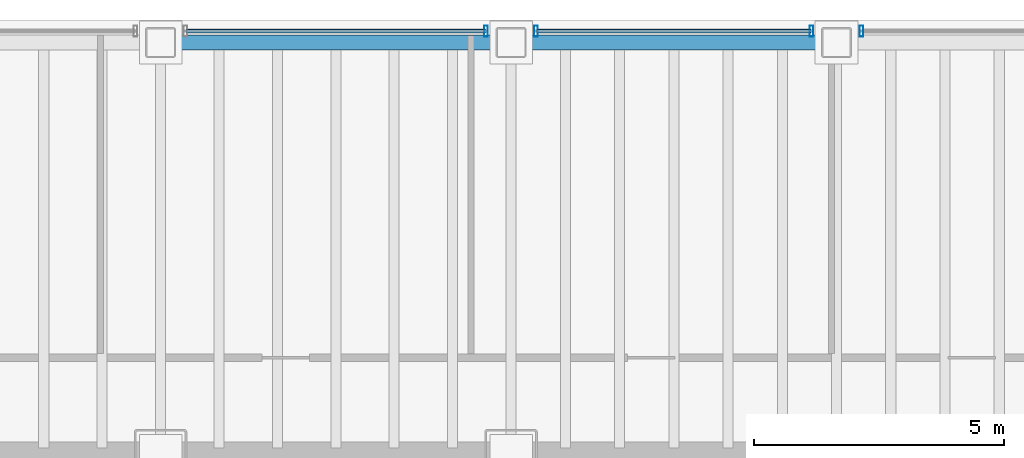
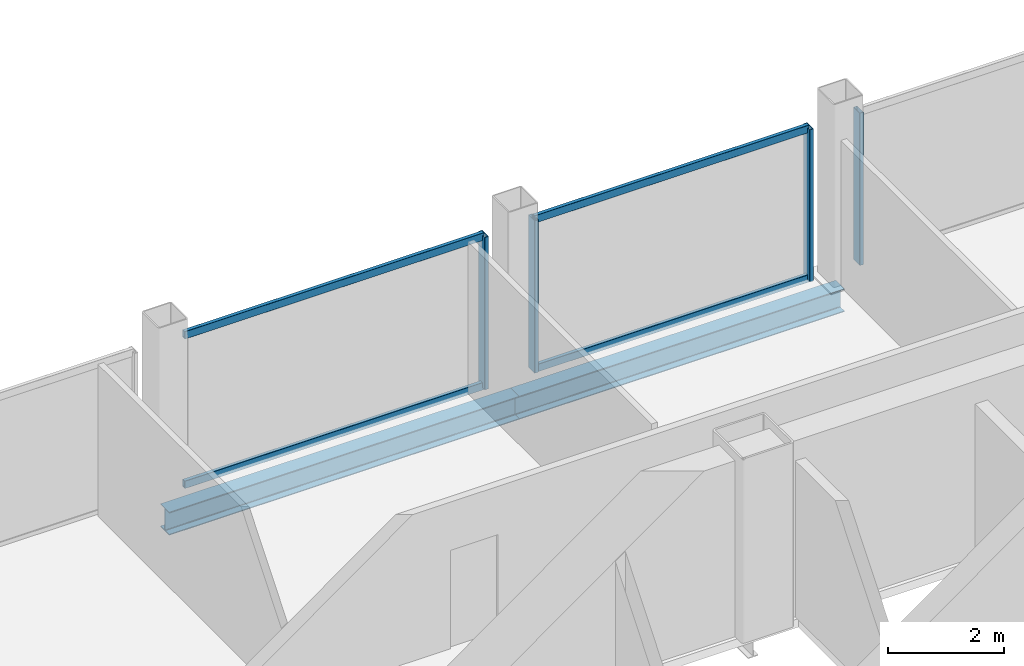
# One storey, part 14 of 20: 8 members, 2 beams, 3 elements without a shape of their own.
"""IFC4 building model written with IfcOpenShell, lengths in metres."""

from ifc_helpers import new_model, si_unit, direction, frame, origin, origin_2d, place, context, subcontext, project, spatial, hollow_rectangle, i_section, extrude, material, material_profile, profile_set, type_object, element, aggregate, save


model = new_model("IFC4")

# Units and contexts
model_context = context("Model", 3, precision=1e-05, world=origin(), true_north=direction((0.0, 1.0)))
body_context = subcontext(model_context, "Body", "Model", "MODEL_VIEW")
ifc_project = project(units=[si_unit("LENGTHUNIT", "METRE"), si_unit("AREAUNIT", "SQUARE_METRE"), si_unit("VOLUMEUNIT", "CUBIC_METRE"), si_unit("PLANEANGLEUNIT", "RADIAN"), si_unit("MASSUNIT", "GRAM", prefix="KILO")], contexts=[model_context])

# Site, building, storey
site_placement = place(None, origin())
site = spatial("IfcSite", under=ifc_project, at=site_placement, CompositionType="ELEMENT")
building_placement = place(site_placement, origin())
building = spatial("IfcBuilding", under=site, at=building_placement, Name="Noeulbin Bourse Tower", CompositionType="ELEMENT")
storey_placement = place(building_placement, frame((0.0, 0.0, 69.39990234375)))
storey = spatial("IfcBuildingStorey", under=building, at=storey_placement, Name="L17", CompositionType="ELEMENT", Elevation=69.39990234375)

# Beams
ifc_material_1 = material(Name="Steel S355", Category="steel")
ifc_material_profile_1 = material_profile(ifc_material_1, i_section(OverallWidth=0.300048828125, OverallDepth=0.488037109375, WebThickness=0.010986328125, FlangeThickness=0.01806640625, FilletRadius=0.02197265625, at=origin_2d()), Name="H-488x300x11x18", Category="LoadBearing")
ifc_profile_set_1 = profile_set([ifc_material_profile_1], Name="Steel S355")
beam_type = type_object("IfcBeamType", Name="BM-SPN-488", PredefinedType="SPANDREL", material=ifc_profile_set_1)
beam_1_placement = place(storey_placement, frame((24.0, 46.550048828125, -0.423828125), z_axis=(1.0, 0.0, 0.0), x_axis=(0.0, 1.0, 0.0)))
element("IfcBeam", 1, at=beam_1_placement, inside=storey, type_object=beam_type, Name="North Spandrel L17-2", PredefinedType="SPANDREL", context=body_context, shape_type="SweptSolid", body=[
    extrude(i_section(OverallWidth=0.300048828125, OverallDepth=0.488037109375, WebThickness=0.010986328125, FlangeThickness=0.01806640625, FilletRadius=0.02197265625, at=origin_2d()), origin(), (0.0, 0.0, 1.0), 7.0),
])
beam_2_placement = place(storey_placement, frame((31.0, 46.550048828125, -0.423828125), z_axis=(1.0, 0.0, 0.0), x_axis=(0.0, 1.0, 0.0)))
element("IfcBeam", 2, at=beam_2_placement, inside=storey, type_object=beam_type, Name="North Spandrel L17-3", PredefinedType="SPANDREL", context=body_context, shape_type="SweptSolid", body=[
    extrude(i_section(OverallWidth=0.300048828125, OverallDepth=0.488037109375, WebThickness=0.010986328125, FlangeThickness=0.01806640625, FilletRadius=0.02197265625, at=origin_2d()), origin(), (0.0, 0.0, 1.0), 6.5),
])

# Curtain wall, member
ifc_material_2 = material(Name="Dark Solar-Control Double Glazing", Category="glass")
curtain_wall_type = type_object("IfcCurtainWallType", Name="CW-SYS-2", PredefinedType="NOTDEFINED", material=ifc_material_2)
curtain_wall_1_placement = place(storey_placement, origin())
curtain_wall_1 = element("IfcCurtainWall", 3, at=curtain_wall_1_placement, inside=storey, type_object=curtain_wall_type, Name="Unitised Curtain Wall CW-L17-N-S3", PredefinedType="NOTDEFINED")
ifc_material_3 = material(Name="Anodised Aluminium 6063-T6", Category="aluminium")
ifc_material_profile_2 = material_profile(ifc_material_3, hollow_rectangle(XDim=0.074951171875, YDim=0.219970703125, WallThickness=0.0048828125, InnerFilletRadius=0.00244140625, OuterFilletRadius=0.0048828125, at=origin_2d()), Name="ALU-MULL-75x220x5", Category="LoadBearing")
ifc_profile_set_2 = profile_set([ifc_material_profile_2], Name="Anodised Aluminium 6063-T6")
member_type_1 = type_object("IfcMemberType", Name="CW-SYS-2-MUL", PredefinedType="MULLION", material=ifc_profile_set_2)
member_1_placement = place(storey_placement, frame((30.5, 46.780029296875, -0.02001953125), z_axis=(0.0, 0.0, 1.0), x_axis=(1.0, 0.0, 0.0)))
member_1 = element("IfcMember", 4, at=member_1_placement, type_object=member_type_1, Name="Curtain Wall Mullion CW-L17-N-S3-M01", PredefinedType="MULLION", context=body_context, shape_type="SweptSolid", body=[
    extrude(hollow_rectangle(XDim=0.074951171875, YDim=0.219970703125, WallThickness=0.0048828125, InnerFilletRadius=0.00244140625, OuterFilletRadius=0.0048828125, at=origin_2d()), origin(), (0.0, 0.0, 1.0), 3.22021484375),
])

# Curtain wall, members
curtain_wall_2_placement = place(storey_placement, origin())
curtain_wall_2 = element("IfcCurtainWall", 5, at=curtain_wall_2_placement, inside=storey, type_object=curtain_wall_type, Name="Unitised Curtain Wall CW-L17-N-S4", PredefinedType="NOTDEFINED")
member_2_placement = place(storey_placement, frame((31.5, 46.780029296875, -0.02001953125), z_axis=(0.0, 0.0, 1.0), x_axis=(1.0, 0.0, 0.0)))
member_2 = element("IfcMember", 6, at=member_2_placement, type_object=member_type_1, Name="Curtain Wall Mullion CW-L17-N-S4-M00", PredefinedType="MULLION", context=body_context, shape_type="SweptSolid", body=[
    extrude(hollow_rectangle(XDim=0.074951171875, YDim=0.219970703125, WallThickness=0.0048828125, InnerFilletRadius=0.00244140625, OuterFilletRadius=0.0048828125, at=origin_2d()), origin(), (0.0, 0.0, 1.0), 3.22021484375),
])
member_3_placement = place(storey_placement, frame((37.0, 46.780029296875, -0.02001953125), z_axis=(0.0, 0.0, 1.0), x_axis=(1.0, 0.0, 0.0)))
member_3 = element("IfcMember", 7, at=member_3_placement, type_object=member_type_1, Name="Curtain Wall Mullion CW-L17-N-S4-M01", PredefinedType="MULLION", context=body_context, shape_type="SweptSolid", body=[
    extrude(hollow_rectangle(XDim=0.074951171875, YDim=0.219970703125, WallThickness=0.0048828125, InnerFilletRadius=0.00244140625, OuterFilletRadius=0.0048828125, at=origin_2d()), origin(), (0.0, 0.0, 1.0), 3.22021484375),
])

# Curtain wall, member
curtain_wall_3_placement = place(storey_placement, origin())
curtain_wall_3 = element("IfcCurtainWall", 8, at=curtain_wall_3_placement, inside=storey, type_object=curtain_wall_type, Name="Unitised Curtain Wall CW-L17-N-S5", PredefinedType="NOTDEFINED")
member_4_placement = place(storey_placement, frame((38.0, 46.780029296875, -0.02001953125), z_axis=(0.0, 0.0, 1.0), x_axis=(1.0, 0.0, 0.0)))
member_4 = element("IfcMember", 9, at=member_4_placement, type_object=member_type_1, Name="Curtain Wall Mullion CW-L17-N-S5-M00", PredefinedType="MULLION", context=body_context, shape_type="SweptSolid", body=[
    extrude(hollow_rectangle(XDim=0.074951171875, YDim=0.219970703125, WallThickness=0.0048828125, InnerFilletRadius=0.00244140625, OuterFilletRadius=0.0048828125, at=origin_2d()), origin(), (0.0, 0.0, 1.0), 3.22021484375),
])
aggregate(curtain_wall_3, [member_4])

# Member
ifc_material_profile_3 = material_profile(ifc_material_3, hollow_rectangle(XDim=0.074951171875, YDim=0.159912109375, WallThickness=0.0048828125, InnerFilletRadius=0.00244140625, OuterFilletRadius=0.0048828125, at=origin_2d()), Name="ALU-TRAN-75x160x5", Category="LoadBearing")
ifc_profile_set_3 = profile_set([ifc_material_profile_3], Name="Anodised Aluminium 6063-T6")
member_type_2 = type_object("IfcMemberType", Name="CW-SYS-2-TRN", PredefinedType="USERDEFINED", material=ifc_profile_set_3)
member_5_placement = place(storey_placement, frame((24.510009765625, 46.780029296875, 0.010009765625), z_axis=(1.0, 0.0, 0.0), x_axis=(0.0, 1.0, 0.0)))
member_5 = element("IfcMember", 10, at=member_5_placement, type_object=member_type_2, Name="Curtain Wall Transom CW-L17-N-S3-T00", ObjectType="TRANSOM", PredefinedType="USERDEFINED", context=body_context, shape_type="SweptSolid", body=[
    extrude(hollow_rectangle(XDim=0.074951171875, YDim=0.159912109375, WallThickness=0.0048828125, InnerFilletRadius=0.00244140625, OuterFilletRadius=0.0048828125, at=origin_2d()), origin(), (0.0, 0.0, 1.0), 5.97998046875),
])

member_6_placement = place(storey_placement, frame((24.510009765625, 46.780029296875, 3.170166015625), z_axis=(1.0, 0.0, 0.0), x_axis=(0.0, 1.0, 0.0)))
member_6 = element("IfcMember", 11, at=member_6_placement, type_object=member_type_2, Name="Curtain Wall Transom CW-L17-N-S3-T01", ObjectType="TRANSOM", PredefinedType="USERDEFINED", context=body_context, shape_type="SweptSolid", body=[
    extrude(hollow_rectangle(XDim=0.074951171875, YDim=0.159912109375, WallThickness=0.0048828125, InnerFilletRadius=0.00244140625, OuterFilletRadius=0.0048828125, at=origin_2d()), origin(), (0.0, 0.0, 1.0), 5.97998046875),
])

aggregate(curtain_wall_1, [member_1, member_5, member_6])

member_7_placement = place(storey_placement, frame((31.510009765625, 46.780029296875, 0.010009765625), z_axis=(1.0, 0.0, 0.0), x_axis=(0.0, 1.0, 0.0)))
member_7 = element("IfcMember", 12, at=member_7_placement, type_object=member_type_2, Name="Curtain Wall Transom CW-L17-N-S4-T00", ObjectType="TRANSOM", PredefinedType="USERDEFINED", context=body_context, shape_type="SweptSolid", body=[
    extrude(hollow_rectangle(XDim=0.074951171875, YDim=0.159912109375, WallThickness=0.0048828125, InnerFilletRadius=0.00244140625, OuterFilletRadius=0.0048828125, at=origin_2d()), origin(), (0.0, 0.0, 1.0), 5.47998046875),
])

member_8_placement = place(storey_placement, frame((31.510009765625, 46.780029296875, 3.170166015625), z_axis=(1.0, 0.0, 0.0), x_axis=(0.0, 1.0, 0.0)))
member_8 = element("IfcMember", 13, at=member_8_placement, type_object=member_type_2, Name="Curtain Wall Transom CW-L17-N-S4-T01", ObjectType="TRANSOM", PredefinedType="USERDEFINED", context=body_context, shape_type="SweptSolid", body=[
    extrude(hollow_rectangle(XDim=0.074951171875, YDim=0.159912109375, WallThickness=0.0048828125, InnerFilletRadius=0.00244140625, OuterFilletRadius=0.0048828125, at=origin_2d()), origin(), (0.0, 0.0, 1.0), 5.47998046875),
])

aggregate(curtain_wall_2, [member_2, member_3, member_7, member_8])

save(model, "model.ifc")
